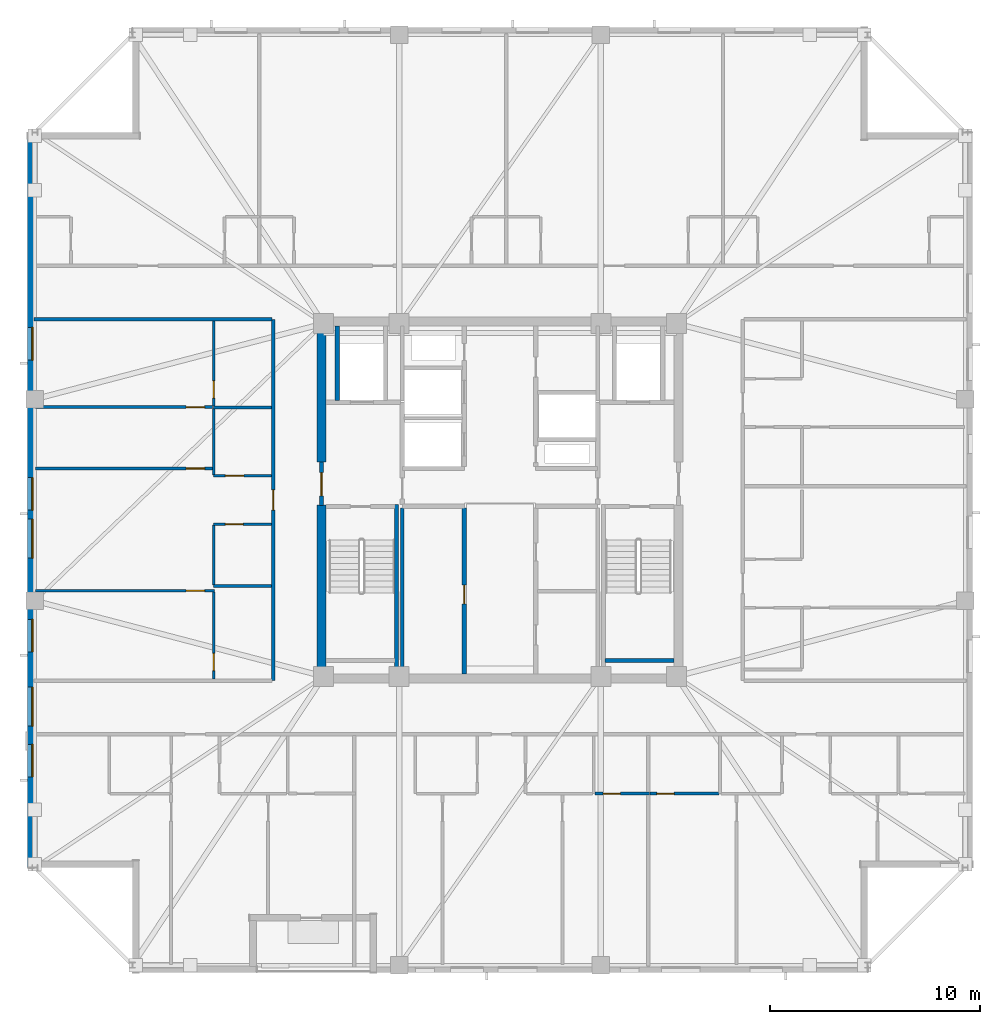
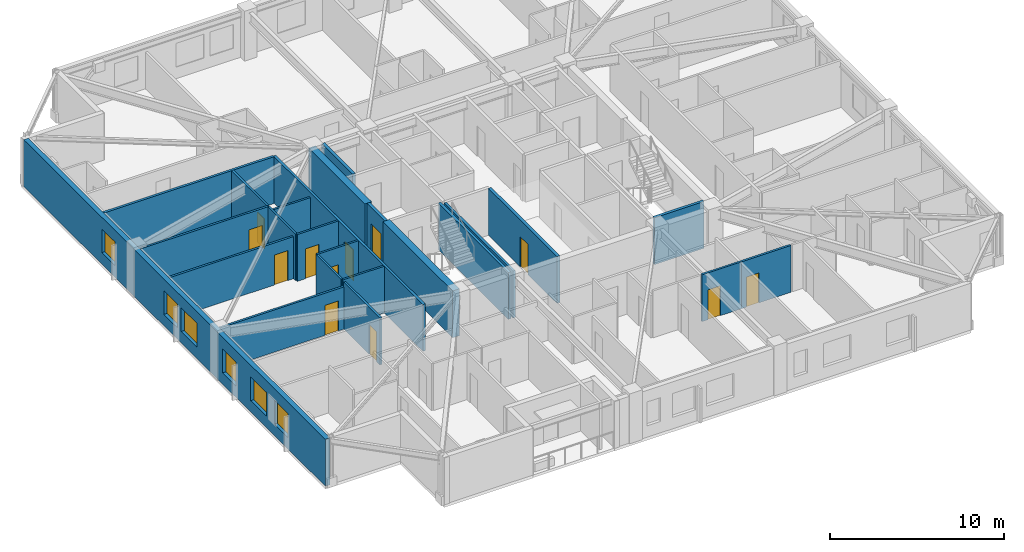
# One storey, part 8 of 17: 24 walls, 12 doors, 6 windows, 18 openings.
"""IFC4 building model written with IfcOpenShell, lengths in metres."""

from ifc_helpers import new_model, si_unit, direction, frame, frame_2d, origin, place, context, subcontext, project, spatial, rectangle, extrude, material, layer, layer_set, type_object, element, fill, save


model = new_model("IFC4")

# Units and contexts
model_context = context("Model", 3, precision=1e-05, world=origin(), true_north=direction((0.0, 1.0)))
body_context = subcontext(model_context, "Body", "Model", "MODEL_VIEW")
ifc_project = project(units=[si_unit("LENGTHUNIT", "METRE"), si_unit("AREAUNIT", "SQUARE_METRE"), si_unit("VOLUMEUNIT", "CUBIC_METRE"), si_unit("PLANEANGLEUNIT", "RADIAN"), si_unit("MASSUNIT", "GRAM", prefix="KILO")], contexts=[model_context])

# Site, building, storey
site_placement = place(None, origin())
site = spatial("IfcSite", under=ifc_project, at=site_placement, CompositionType="ELEMENT")
building_placement = place(site_placement, origin())
building = spatial("IfcBuilding", under=site, at=building_placement, Name="Cairnveth Concourse Tower", CompositionType="ELEMENT")
storey_placement = place(building_placement, frame((0.0, 0.0, 262.0)))
storey = spatial("IfcBuildingStorey", under=building, at=storey_placement, Name="L72", CompositionType="ELEMENT", Elevation=262.0)

# Wall
ifc_material_1 = material(Name="Gypsum Plasterboard Partition", Category="gypsum")
ifc_layer_1 = layer(ifc_material_1, 0.159912109375)
ifc_layer_set_1 = layer_set([ifc_layer_1], Name="Gypsum Plasterboard Partition")
wall_type_1 = type_object("IfcWallType", Name="ACOUSTIC PARTY WALL 180", PredefinedType="PARTITIONING", material=ifc_layer_set_1)
wall_1_placement = place(storey_placement, frame((47.35009765625, 30.7099609375, 0.0), z_axis=(0.0, 0.0, 1.0), x_axis=(0.0, 1.0, 0.0)))
element("IfcWall", 1, at=wall_1_placement, inside=storey, type_object=wall_type_1, Name="Interior Wall IW-L72-025", PredefinedType="PARTITIONING", context=body_context, shape_type="SweptSolid", body=[
    extrude(rectangle(XDim=7.905029296875, YDim=0.159912109375, at=frame_2d((3.95263671875, 0.0))), origin(), (0.0, 0.0, 1.0), 3.2900390625),
])

# Wall, opening, door
wall_2_placement = place(storey_placement, frame((41.199951171875, 30.39990234375, 0.0), z_axis=(0.0, 0.0, 1.0), x_axis=(0.0, 1.0, 0.0)))
wall_2 = element("IfcWall", 2, at=wall_2_placement, inside=storey, type_object=wall_type_1, Name="Interior Wall IW-L72-036", PredefinedType="PARTITIONING", context=body_context, shape_type="SweptSolid", body=[
    extrude(rectangle(XDim=17.2001953125, YDim=0.159912109375, at=frame_2d((8.60009765625, 0.0))), origin(), (0.0, 0.0, 1.0), 3.2900390625),
])
opening_1_placement = place(wall_2_placement, frame((8.1201171875, 0.0, 0.0)))
opening_1 = element("IfcOpeningElement", 3, at=opening_1_placement, cuts=wall_2, Name="Opening ID10", PredefinedType="OPENING", context=body_context, shape_type="SweptSolid", body=[
    extrude(rectangle(XDim=0.9599609375, YDim=2.179931640625, at=frame_2d((0.47998046875, 1.08984375))), frame((0.0, 0.08984375, 0.0), z_axis=(0.0, -1.0, 0.0), x_axis=(1.0, 0.0, 0.0)), (0.0, 0.0, 1.0), 0.179931640625),
])
ifc_material_2 = material(Name="Solid Core Hardwood Timber Leaf", Category="wood")
door_type_1 = type_object("IfcDoorType", Name="FLAT ENTRANCE DOOR 960X2150", OperationType="NOTDEFINED", PredefinedType="DOOR", material=ifc_material_2)
door_1_placement = place(opening_1_placement, origin())
door_1 = element("IfcDoor", 4, at=door_1_placement, inside=storey, type_object=door_type_1, Name="Apartment L72W1 Entrance Door", OperationType="SINGLE_SWING_LEFT", OverallHeight=2.179931640625, OverallWidth=0.9599609375, PredefinedType="DOOR", context=body_context, shape_type="SweptSolid", body=[
    extrude(rectangle(XDim=0.9599609375, YDim=2.179931640625, at=frame_2d((0.47998046875, 1.08984375))), frame((0.0, 0.02490234375, 0.0), z_axis=(0.0, -1.0, 0.0), x_axis=(1.0, 0.0, 0.0)), (0.0, 0.0, 1.0), 0.050048828125),
])
fill(opening_1, door_1)

# Walls
wall_3_placement = place(storey_placement, frame((29.804931640625, 47.60009765625, 0.0), z_axis=(0.0, 0.0, 1.0), x_axis=(1.0, 0.0, 0.0)))
element("IfcWall", 5, at=wall_3_placement, inside=storey, type_object=wall_type_1, Name="Interior Wall IW-L72-039", PredefinedType="PARTITIONING", context=body_context, shape_type="SweptSolid", body=[
    extrude(rectangle(XDim=11.330078125, YDim=0.159912109375, at=frame_2d((5.6650390625, 0.0))), origin(), (0.0, 0.0, 1.0), 3.2900390625),
])
ifc_material_3 = material(Name="Concrete N65 (65 MPa)", Category="concrete")
ifc_layer_2 = layer(ifc_material_3, 0.449951171875)
ifc_layer_set_2 = layer_set([ifc_layer_2], Name="Concrete N65 (65 MPa)")
wall_type_2 = type_object("IfcWallType", Name="CORE SHEAR WALL 450", PredefinedType="SHEAR", material=ifc_layer_set_2)
wall_4_placement = place(storey_placement, frame((43.5, 30.715087890625, 0.0), z_axis=(0.0, 0.0, 1.0), x_axis=(0.0, 1.0, 0.0)))
element("IfcWall", 6, at=wall_4_placement, inside=storey, type_object=wall_type_2, Name="Core West Shear Wall S L72", PredefinedType="SHEAR", context=body_context, shape_type="SweptSolid", body=[
    extrude(rectangle(XDim=8.034912109375, YDim=0.449951171875, at=frame_2d((4.017578125, 0.0))), origin(), (0.0, 0.0, 1.0), 3.2900390625),
])
wall_5_placement = place(storey_placement, frame((43.5, 40.800048828125, 0.0), z_axis=(0.0, 0.0, 1.0), x_axis=(0.0, 1.0, 0.0)))
element("IfcWall", 7, at=wall_5_placement, inside=storey, type_object=wall_type_2, Name="Core West Shear Wall N L72", PredefinedType="SHEAR", context=body_context, shape_type="SweptSolid", body=[
    extrude(rectangle(XDim=6.48486328125, YDim=0.449951171875, at=frame_2d((3.242431640625, 0.0))), origin(), (0.0, 0.0, 1.0), 3.2900390625),
])
ifc_material_4 = material(Name="Concrete N50 (50 MPa)", Category="concrete")
ifc_layer_3 = layer(ifc_material_4, 0.179931640625)
ifc_layer_set_3 = layer_set([ifc_layer_3], Name="Concrete N50 (50 MPa)")
wall_type_3 = type_object("IfcWallType", Name="FIRE SHAFT WALL 180", PredefinedType="SOLIDWALL", material=ifc_layer_set_3)
wall_6_placement = place(storey_placement, frame((47.070068359375, 38.780029296875, 0.0), z_axis=(0.0, 0.0, 1.0), x_axis=(0.0, -1.0, 0.0)))
element("IfcWall", 8, at=wall_6_placement, inside=storey, type_object=wall_type_3, Name="Stair ST-1 Shaft Wall RGHT L72", PredefinedType="SOLIDWALL", context=body_context, shape_type="SweptSolid", body=[
    extrude(rectangle(XDim=8.067138671875, YDim=0.179931640625, at=frame_2d((4.03369140625, 0.0))), origin(), (0.0, 0.0, 1.0), 3.2900390625),
])
wall_7_placement = place(storey_placement, frame((57.0048828125, 31.360107421875, 0.0), z_axis=(0.0, 0.0, 1.0), x_axis=(1.0, 0.0, 0.0)))
element("IfcWall", 9, at=wall_7_placement, inside=storey, type_object=wall_type_3, Name="Stair ST-2 Shaft Wall FAR L72", PredefinedType="SOLIDWALL", context=body_context, shape_type="SweptSolid", body=[
    extrude(rectangle(XDim=3.280029296875, YDim=0.179931640625, at=frame_2d((1.64013671875, 0.0))), origin(), (0.0, 0.0, 1.0), 3.2900390625),
])

# Wall, opening, door
ifc_layer_4 = layer(ifc_material_4, 0.199951171875)
ifc_layer_set_4 = layer_set([ifc_layer_4], Name="Concrete N50 (50 MPa)")
wall_type_4 = type_object("IfcWallType", Name="FIRE SHAFT WALL 200", PredefinedType="SOLIDWALL", material=ifc_layer_set_4)
wall_8_placement = place(storey_placement, frame((50.300048828125, 30.7099609375, 0.0), z_axis=(0.0, 0.0, 1.0), x_axis=(0.0, 1.0, 0.0)))
wall_8 = element("IfcWall", 10, at=wall_8_placement, inside=storey, type_object=wall_type_4, Name="Interior Wall IW-L72-011", PredefinedType="SOLIDWALL", context=body_context, shape_type="SweptSolid", body=[
    extrude(rectangle(XDim=7.905029296875, YDim=0.199951171875, at=frame_2d((3.95263671875, 0.0))), origin(), (0.0, 0.0, 1.0), 3.2900390625),
])
opening_2_placement = place(wall_8_placement, frame((3.340087890625, 0.0, 0.0)))
opening_2 = element("IfcOpeningElement", 11, at=opening_2_placement, cuts=wall_8, Name="Opening ID16", PredefinedType="OPENING", context=body_context, shape_type="SweptSolid", body=[
    extrude(rectangle(XDim=0.89990234375, YDim=2.1201171875, at=frame_2d((0.449951171875, 1.06005859375))), frame((0.0, 0.10986328125, 0.0), z_axis=(0.0, -1.0, 0.0), x_axis=(1.0, 0.0, 0.0)), (0.0, 0.0, 1.0), 0.219970703125),
])
ifc_material_5 = material(Name="Steel Grade 350", Category="steel")
door_type_2 = type_object("IfcDoorType", Name="CORE SERVICE DOOR 900X2100", OperationType="NOTDEFINED", PredefinedType="DOOR", material=ifc_material_5)
door_2_placement = place(opening_2_placement, origin())
door_2 = element("IfcDoor", 12, at=door_2_placement, inside=storey, type_object=door_type_2, Name="Linen Pantry Suite Door L72", OperationType="SINGLE_SWING_LEFT", OverallHeight=2.1201171875, OverallWidth=0.89990234375, PredefinedType="DOOR", context=body_context, shape_type="SweptSolid", body=[
    extrude(rectangle(XDim=0.89990234375, YDim=2.1201171875, at=frame_2d((0.449951171875, 1.06005859375))), frame((0.0, 0.02490234375, 0.0), z_axis=(0.0, -1.0, 0.0), x_axis=(1.0, 0.0, 0.0)), (0.0, 0.0, 1.0), 0.050048828125),
])
fill(opening_2, door_2)

wall_9_placement = place(storey_placement, frame((43.5, 38.75, 0.0), z_axis=(0.0, 0.0, 1.0), x_axis=(0.0, 1.0, 0.0)))
wall_9 = element("IfcWall", 13, at=wall_9_placement, inside=storey, type_object=wall_type_4, Name="Interior Wall IW-L72-015", PredefinedType="SOLIDWALL", context=body_context, shape_type="SweptSolid", body=[
    extrude(rectangle(XDim=2.050048828125, YDim=0.199951171875, at=frame_2d((1.02490234375, 0.0))), origin(), (0.0, 0.0, 1.0), 3.2900390625),
])
opening_3_placement = place(wall_9_placement, frame((0.449951171875, 0.0, 0.0)))
opening_3 = element("IfcOpeningElement", 14, at=opening_3_placement, cuts=wall_9, Name="Opening ID06", PredefinedType="OPENING", context=body_context, shape_type="SweptSolid", body=[
    extrude(rectangle(XDim=1.10009765625, YDim=2.14990234375, at=frame_2d((0.550048828125, 1.074951171875))), frame((0.0, 0.10986328125, 0.0), z_axis=(0.0, -1.0, 0.0), x_axis=(1.0, 0.0, 0.0)), (0.0, 0.0, 1.0), 0.219970703125),
])
door_type_3 = type_object("IfcDoorType", Name="FIRE CORRIDOR DOOR 1100X2150", OperationType="NOTDEFINED", PredefinedType="DOOR", material=ifc_material_5)
door_3_placement = place(opening_3_placement, origin())
door_3 = element("IfcDoor", 15, at=door_3_placement, inside=storey, type_object=door_type_3, Name="West Wing to FF Lobby Door L72", OperationType="SINGLE_SWING_LEFT", OverallHeight=2.14990234375, OverallWidth=1.10009765625, PredefinedType="DOOR", context=body_context, shape_type="SweptSolid", body=[
    extrude(rectangle(XDim=1.10009765625, YDim=2.14990234375, at=frame_2d((0.550048828125, 1.074951171875))), frame((0.0, 0.02490234375, 0.0), z_axis=(0.0, -1.0, 0.0), x_axis=(1.0, 0.0, 0.0)), (0.0, 0.0, 1.0), 0.050048828125),
])
fill(opening_3, door_3)

# Wall
wall_10_placement = place(storey_placement, frame((44.25, 43.735107421875, 0.0), z_axis=(0.0, 0.0, 1.0), x_axis=(0.0, 1.0, 0.0)))
element("IfcWall", 16, at=wall_10_placement, inside=storey, type_object=wall_type_4, Name="Interior Wall IW-L72-019", PredefinedType="SOLIDWALL", context=body_context, shape_type="SweptSolid", body=[
    extrude(rectangle(XDim=3.554931640625, YDim=0.199951171875, at=frame_2d((1.77734375, 0.0))), origin(), (0.0, 0.0, 1.0), 3.2900390625),
])

# Wall, opening, door
ifc_layer_5 = layer(ifc_material_1, 0.139892578125)
ifc_layer_set_5 = layer_set([ifc_layer_5], Name="Gypsum Plasterboard Partition")
wall_type_5 = type_object("IfcWallType", Name="GYPSUM STUD PARTITION 140", PredefinedType="PARTITIONING", material=ifc_layer_set_5)
wall_11_placement = place(storey_placement, frame((56.514892578125, 25.017578125, 0.0), z_axis=(0.0, 0.0, 1.0), x_axis=(1.0, 0.0, 0.0)))
wall_11 = element("IfcWall", 17, at=wall_11_placement, inside=storey, type_object=wall_type_5, Name="Interior Wall IW-L72-060", PredefinedType="PARTITIONING", context=body_context, shape_type="SweptSolid", body=[
    extrude(rectangle(XDim=2.6025390625, YDim=0.139892578125, at=frame_2d((1.30126953125, 0.0))), origin(), (0.0, 0.0, 1.0), 3.2900390625),
])
opening_4_placement = place(wall_11_placement, frame((0.39990234375, 0.0, 0.0)))
opening_4 = element("IfcOpeningElement", 18, at=opening_4_placement, cuts=wall_11, Name="Opening ID22", PredefinedType="OPENING", context=body_context, shape_type="SweptSolid", body=[
    extrude(rectangle(XDim=0.820068359375, YDim=2.10009765625, at=frame_2d((0.41015625, 1.050048828125))), frame((0.0, 0.079833984375, 0.0), z_axis=(0.0, -1.0, 0.0), x_axis=(1.0, 0.0, 0.0)), (0.0, 0.0, 1.0), 0.159912109375),
])
door_type_4 = type_object("IfcDoorType", Name="INTERIOR WC DOOR 820X2100", OperationType="NOTDEFINED", PredefinedType="DOOR", material=ifc_material_2)
door_4_placement = place(opening_4_placement, origin())
door_4 = element("IfcDoor", 19, at=door_4_placement, inside=storey, type_object=door_type_4, Name="L72S2 Utility Door", OperationType="SINGLE_SWING_RIGHT", OverallHeight=2.10009765625, OverallWidth=0.820068359375, PredefinedType="DOOR", context=body_context, shape_type="SweptSolid", body=[
    extrude(rectangle(XDim=0.820068359375, YDim=2.10009765625, at=frame_2d((0.41015625, 1.050048828125))), frame((0.0, 0.02490234375, 0.0), z_axis=(0.0, -1.0, 0.0), x_axis=(1.0, 0.0, 0.0)), (0.0, 0.0, 1.0), 0.050048828125),
])
fill(opening_4, door_4)

wall_12_placement = place(storey_placement, frame((59.132568359375, 25.017578125, 0.0), z_axis=(0.0, 0.0, 1.0), x_axis=(1.0, 0.0, 0.0)))
wall_12 = element("IfcWall", 20, at=wall_12_placement, inside=storey, type_object=wall_type_5, Name="Interior Wall IW-L72-069", PredefinedType="PARTITIONING", context=body_context, shape_type="SweptSolid", body=[
    extrude(rectangle(XDim=3.291015625, YDim=0.139892578125, at=frame_2d((1.6455078125, 0.0))), origin(), (0.0, 0.0, 1.0), 3.2900390625),
])
opening_5_placement = place(wall_12_placement, frame((0.3349609375, 0.0, 0.0)))
opening_5 = element("IfcOpeningElement", 21, at=opening_5_placement, cuts=wall_12, Name="Opening ID22", PredefinedType="OPENING", context=body_context, shape_type="SweptSolid", body=[
    extrude(rectangle(XDim=0.820068359375, YDim=2.10009765625, at=frame_2d((0.41015625, 1.050048828125))), frame((0.0, 0.079833984375, 0.0), z_axis=(0.0, -1.0, 0.0), x_axis=(1.0, 0.0, 0.0)), (0.0, 0.0, 1.0), 0.159912109375),
])
door_5_placement = place(opening_5_placement, origin())
door_5 = element("IfcDoor", 22, at=door_5_placement, inside=storey, type_object=door_type_4, Name="L72S3 Dressing Door", OperationType="SINGLE_SWING_LEFT", OverallHeight=2.10009765625, OverallWidth=0.820068359375, PredefinedType="DOOR", context=body_context, shape_type="SweptSolid", body=[
    extrude(rectangle(XDim=0.820068359375, YDim=2.10009765625, at=frame_2d((0.41015625, 1.050048828125))), frame((0.0, 0.02490234375, 0.0), z_axis=(0.0, -1.0, 0.0), x_axis=(1.0, 0.0, 0.0)), (0.0, 0.0, 1.0), 0.050048828125),
])
fill(opening_5, door_5)

wall_13_placement = place(storey_placement, frame((29.8798828125, 34.679931640625, 0.0), z_axis=(0.0, 0.0, 1.0), x_axis=(1.0, 0.0, 0.0)))
wall_13 = element("IfcWall", 23, at=wall_13_placement, inside=storey, type_object=wall_type_5, Name="Interior Wall IW-L72-097", PredefinedType="PARTITIONING", context=body_context, shape_type="SweptSolid", body=[
    extrude(rectangle(XDim=8.530029296875, YDim=0.139892578125, at=frame_2d((4.26513671875, 0.0))), origin(), (0.0, 0.0, 1.0), 2.9580078125),
])
opening_6_placement = place(wall_13_placement, frame((7.179931640625, 0.0, 0.0)))
opening_6 = element("IfcOpeningElement", 24, at=opening_6_placement, cuts=wall_13, Name="Opening ID18", PredefinedType="OPENING", context=body_context, shape_type="SweptSolid", body=[
    extrude(rectangle(XDim=0.8798828125, YDim=2.10009765625, at=frame_2d((0.43994140625, 1.050048828125))), frame((0.0, 0.079833984375, 0.0), z_axis=(0.0, -1.0, 0.0), x_axis=(1.0, 0.0, 0.0)), (0.0, 0.0, 1.0), 0.159912109375),
])
door_type_5 = type_object("IfcDoorType", Name="INTERIOR SINGLE DOOR 880X2100", OperationType="NOTDEFINED", PredefinedType="DOOR", material=ifc_material_2)
door_6_placement = place(opening_6_placement, origin())
door_6 = element("IfcDoor", 25, at=door_6_placement, inside=storey, type_object=door_type_5, Name="L72W1 Master Bedroom Door", OperationType="SINGLE_SWING_LEFT", OverallHeight=2.10009765625, OverallWidth=0.8798828125, PredefinedType="DOOR", context=body_context, shape_type="SweptSolid", body=[
    extrude(rectangle(XDim=0.8798828125, YDim=2.10009765625, at=frame_2d((0.43994140625, 1.050048828125))), frame((0.0, 0.02490234375, 0.0), z_axis=(0.0, -1.0, 0.0), x_axis=(1.0, 0.0, 0.0)), (0.0, 0.0, 1.0), 0.050048828125),
])
fill(opening_6, door_6)

wall_14_placement = place(storey_placement, frame((38.3701171875, 30.465087890625, 0.0), z_axis=(0.0, 0.0, 1.0), x_axis=(0.0, 1.0, 0.0)))
wall_14 = element("IfcWall", 26, at=wall_14_placement, inside=storey, type_object=wall_type_5, Name="Interior Wall IW-L72-098", PredefinedType="PARTITIONING", context=body_context, shape_type="SweptSolid", body=[
    extrude(rectangle(XDim=4.159912109375, YDim=0.139892578125, at=frame_2d((2.080078125, 0.0))), origin(), (0.0, 0.0, 1.0), 3.2900390625),
])
opening_7_placement = place(wall_14_placement, frame((0.4150390625, 0.0, 0.0)))
opening_7 = element("IfcOpeningElement", 27, at=opening_7_placement, cuts=wall_14, Name="Opening ID22", PredefinedType="OPENING", context=body_context, shape_type="SweptSolid", body=[
    extrude(rectangle(XDim=0.820068359375, YDim=2.10009765625, at=frame_2d((0.41015625, 1.050048828125))), frame((0.0, 0.079833984375, 0.0), z_axis=(0.0, -1.0, 0.0), x_axis=(1.0, 0.0, 0.0)), (0.0, 0.0, 1.0), 0.159912109375),
])
door_7_placement = place(opening_7_placement, origin())
door_7 = element("IfcDoor", 28, at=door_7_placement, inside=storey, type_object=door_type_4, Name="L72W1 Dressing Door", OperationType="SINGLE_SWING_RIGHT", OverallHeight=2.10009765625, OverallWidth=0.820068359375, PredefinedType="DOOR", context=body_context, shape_type="SweptSolid", body=[
    extrude(rectangle(XDim=0.820068359375, YDim=2.10009765625, at=frame_2d((0.41015625, 1.050048828125))), frame((0.0, 0.02490234375, 0.0), z_axis=(0.0, -1.0, 0.0), x_axis=(1.0, 0.0, 0.0)), (0.0, 0.0, 1.0), 0.050048828125),
])
fill(opening_7, door_7)

wall_15_placement = place(storey_placement, frame((29.8798828125, 43.419921875, 0.0), z_axis=(0.0, 0.0, 1.0), x_axis=(1.0, 0.0, 0.0)))
wall_15 = element("IfcWall", 29, at=wall_15_placement, inside=storey, type_object=wall_type_5, Name="Interior Wall IW-L72-099", PredefinedType="PARTITIONING", context=body_context, shape_type="SweptSolid", body=[
    extrude(rectangle(XDim=8.440185546875, YDim=0.139892578125, at=frame_2d((4.22021484375, 0.0))), origin(), (0.0, 0.0, 1.0), 3.2900390625),
])
opening_8_placement = place(wall_15_placement, frame((7.179931640625, 0.0, 0.0)))
opening_8 = element("IfcOpeningElement", 30, at=opening_8_placement, cuts=wall_15, Name="Opening ID18", PredefinedType="OPENING", context=body_context, shape_type="SweptSolid", body=[
    extrude(rectangle(XDim=0.8798828125, YDim=2.10009765625, at=frame_2d((0.43994140625, 1.050048828125))), frame((0.0, 0.079833984375, 0.0), z_axis=(0.0, -1.0, 0.0), x_axis=(1.0, 0.0, 0.0)), (0.0, 0.0, 1.0), 0.159912109375),
])
door_8_placement = place(opening_8_placement, origin())
door_8 = element("IfcDoor", 31, at=door_8_placement, inside=storey, type_object=door_type_5, Name="L72W1 Bedroom 2 Door", OperationType="SINGLE_SWING_LEFT", OverallHeight=2.10009765625, OverallWidth=0.8798828125, PredefinedType="DOOR", context=body_context, shape_type="SweptSolid", body=[
    extrude(rectangle(XDim=0.8798828125, YDim=2.10009765625, at=frame_2d((0.43994140625, 1.050048828125))), frame((0.0, 0.02490234375, 0.0), z_axis=(0.0, -1.0, 0.0), x_axis=(1.0, 0.0, 0.0)), (0.0, 0.0, 1.0), 0.050048828125),
])
fill(opening_8, door_8)

wall_16_placement = place(storey_placement, frame((38.3701171875, 43.47509765625, 0.0), z_axis=(0.0, 0.0, 1.0), x_axis=(0.0, 1.0, 0.0)))
wall_16 = element("IfcWall", 32, at=wall_16_placement, inside=storey, type_object=wall_type_5, Name="Interior Wall IW-L72-100", PredefinedType="PARTITIONING", context=body_context, shape_type="SweptSolid", body=[
    extrude(rectangle(XDim=4.059814453125, YDim=0.139892578125, at=frame_2d((2.02978515625, 0.0))), origin(), (0.0, 0.0, 1.0), 3.2900390625),
])
opening_9_placement = place(wall_16_placement, frame((0.375, 0.0, 0.0)))
opening_9 = element("IfcOpeningElement", 33, at=opening_9_placement, cuts=wall_16, Name="Opening ID22", PredefinedType="OPENING", context=body_context, shape_type="SweptSolid", body=[
    extrude(rectangle(XDim=0.820068359375, YDim=2.10009765625, at=frame_2d((0.41015625, 1.050048828125))), frame((0.0, 0.079833984375, 0.0), z_axis=(0.0, -1.0, 0.0), x_axis=(1.0, 0.0, 0.0)), (0.0, 0.0, 1.0), 0.159912109375),
])
door_9_placement = place(opening_9_placement, origin())
door_9 = element("IfcDoor", 34, at=door_9_placement, inside=storey, type_object=door_type_4, Name="L72W1 Utility Door", OperationType="SINGLE_SWING_RIGHT", OverallHeight=2.10009765625, OverallWidth=0.820068359375, PredefinedType="DOOR", context=body_context, shape_type="SweptSolid", body=[
    extrude(rectangle(XDim=0.820068359375, YDim=2.10009765625, at=frame_2d((0.41015625, 1.050048828125))), frame((0.0, 0.02490234375, 0.0), z_axis=(0.0, -1.0, 0.0), x_axis=(1.0, 0.0, 0.0)), (0.0, 0.0, 1.0), 0.050048828125),
])
fill(opening_9, door_9)

wall_17_placement = place(storey_placement, frame((29.8798828125, 40.5, 0.0), z_axis=(0.0, 0.0, 1.0), x_axis=(1.0, 0.0, 0.0)))
wall_17 = element("IfcWall", 35, at=wall_17_placement, inside=storey, type_object=wall_type_5, Name="Interior Wall IW-L72-101", PredefinedType="PARTITIONING", context=body_context, shape_type="SweptSolid", body=[
    extrude(rectangle(XDim=8.440185546875, YDim=0.139892578125, at=frame_2d((4.22021484375, 0.0))), origin(), (0.0, 0.0, 1.0), 2.9580078125),
])
opening_10_placement = place(wall_17_placement, frame((7.179931640625, 0.0, 0.0)))
opening_10 = element("IfcOpeningElement", 36, at=opening_10_placement, cuts=wall_17, Name="Opening ID18", PredefinedType="OPENING", context=body_context, shape_type="SweptSolid", body=[
    extrude(rectangle(XDim=0.8798828125, YDim=2.10009765625, at=frame_2d((0.43994140625, 1.050048828125))), frame((0.0, 0.079833984375, 0.0), z_axis=(0.0, -1.0, 0.0), x_axis=(1.0, 0.0, 0.0)), (0.0, 0.0, 1.0), 0.159912109375),
])
door_10_placement = place(opening_10_placement, origin())
door_10 = element("IfcDoor", 37, at=door_10_placement, inside=storey, type_object=door_type_5, Name="L72W1 Media Lounge Door", OperationType="SINGLE_SWING_RIGHT", OverallHeight=2.10009765625, OverallWidth=0.8798828125, PredefinedType="DOOR", context=body_context, shape_type="SweptSolid", body=[
    extrude(rectangle(XDim=0.8798828125, YDim=2.10009765625, at=frame_2d((0.43994140625, 1.050048828125))), frame((0.0, 0.02490234375, 0.0), z_axis=(0.0, -1.0, 0.0), x_axis=(1.0, 0.0, 0.0)), (0.0, 0.0, 1.0), 0.050048828125),
])
fill(opening_10, door_10)

# Wall
ifc_layer_6 = layer(ifc_material_1, 0.1298828125)
ifc_layer_set_6 = layer_set([ifc_layer_6], Name="Gypsum Plasterboard Partition")
wall_type_6 = type_object("IfcWallType", Name="WET AREA PARTITION 140", PredefinedType="PLUMBINGWALL", material=ifc_layer_set_6)
wall_18_placement = place(storey_placement, frame((38.3701171875, 34.89990234375, 0.0), z_axis=(0.0, 0.0, 1.0), x_axis=(1.0, 0.0, 0.0)))
element("IfcWall", 38, at=wall_18_placement, inside=storey, type_object=wall_type_6, Name="Interior Wall IW-L72-091", PredefinedType="PLUMBINGWALL", context=body_context, shape_type="SweptSolid", body=[
    extrude(rectangle(XDim=2.75, YDim=0.1298828125, at=frame_2d((1.375, 0.0))), origin(), (0.0, 0.0, 1.0), 3.2900390625),
])

# Wall, opening, door
wall_19_placement = place(storey_placement, frame((38.3701171875, 37.85009765625, 0.0), z_axis=(0.0, 0.0, 1.0), x_axis=(1.0, 0.0, 0.0)))
wall_19 = element("IfcWall", 39, at=wall_19_placement, inside=storey, type_object=wall_type_6, Name="Interior Wall IW-L72-092", PredefinedType="PLUMBINGWALL", context=body_context, shape_type="SweptSolid", body=[
    extrude(rectangle(XDim=2.75, YDim=0.1298828125, at=frame_2d((1.375, 0.0))), origin(), (0.0, 0.0, 1.0), 3.2900390625),
])
opening_11_placement = place(wall_19_placement, frame((0.550048828125, 0.0, 0.0)))
opening_11 = element("IfcOpeningElement", 40, at=opening_11_placement, cuts=wall_19, Name="Opening ID21", PredefinedType="OPENING", context=body_context, shape_type="SweptSolid", body=[
    extrude(rectangle(XDim=0.85009765625, YDim=2.080078125, at=frame_2d((0.425048828125, 1.0400390625))), frame((0.0, 0.074951171875, 0.0), z_axis=(0.0, -1.0, 0.0), x_axis=(1.0, 0.0, 0.0)), (0.0, 0.0, 1.0), 0.14990234375),
])
door_type_6 = type_object("IfcDoorType", Name="INTERIOR WC DOOR 850X2100", OperationType="NOTDEFINED", PredefinedType="DOOR", material=ifc_material_2)
door_11_placement = place(opening_11_placement, origin())
door_11 = element("IfcDoor", 41, at=door_11_placement, inside=storey, type_object=door_type_6, Name="L72W1 Bathroom Door", OperationType="SINGLE_SWING_RIGHT", OverallHeight=2.080078125, OverallWidth=0.85009765625, PredefinedType="DOOR", context=body_context, shape_type="SweptSolid", body=[
    extrude(rectangle(XDim=0.85009765625, YDim=2.080078125, at=frame_2d((0.425048828125, 1.0400390625))), frame((0.0, 0.02490234375, 0.0), z_axis=(0.0, -1.0, 0.0), x_axis=(1.0, 0.0, 0.0)), (0.0, 0.0, 1.0), 0.050048828125),
])
fill(opening_11, door_11)

# Walls
wall_20_placement = place(storey_placement, frame((38.3701171875, 34.949951171875, 0.0), z_axis=(0.0, 0.0, 1.0), x_axis=(0.0, 1.0, 0.0)))
element("IfcWall", 42, at=wall_20_placement, inside=storey, type_object=wall_type_6, Name="Interior Wall IW-L72-093", PredefinedType="PLUMBINGWALL", context=body_context, shape_type="SweptSolid", body=[
    extrude(rectangle(XDim=2.85009765625, YDim=0.1298828125, at=frame_2d((1.425048828125, 0.0))), origin(), (0.0, 0.0, 1.0), 3.2900390625),
])
wall_21_placement = place(storey_placement, frame((38.3701171875, 43.39990234375, 0.0), z_axis=(0.0, 0.0, 1.0), x_axis=(1.0, 0.0, 0.0)))
element("IfcWall", 43, at=wall_21_placement, inside=storey, type_object=wall_type_6, Name="Interior Wall IW-L72-094", PredefinedType="PLUMBINGWALL", context=body_context, shape_type="SweptSolid", body=[
    extrude(rectangle(XDim=2.75, YDim=0.1298828125, at=frame_2d((1.375, 0.0))), origin(), (0.0, 0.0, 1.0), 2.9580078125),
])

# Wall, opening, door
wall_22_placement = place(storey_placement, frame((38.3701171875, 40.14990234375, 0.0), z_axis=(0.0, 0.0, 1.0), x_axis=(1.0, 0.0, 0.0)))
wall_22 = element("IfcWall", 44, at=wall_22_placement, inside=storey, type_object=wall_type_6, Name="Interior Wall IW-L72-095", PredefinedType="PLUMBINGWALL", context=body_context, shape_type="SweptSolid", body=[
    extrude(rectangle(XDim=2.75, YDim=0.1298828125, at=frame_2d((1.375, 0.0))), origin(), (0.0, 0.0, 1.0), 3.2900390625),
])
opening_12_placement = place(wall_22_placement, frame((0.550048828125, 0.0, 0.0)))
opening_12 = element("IfcOpeningElement", 45, at=opening_12_placement, cuts=wall_22, Name="Opening ID18", PredefinedType="OPENING", context=body_context, shape_type="SweptSolid", body=[
    extrude(rectangle(XDim=0.8798828125, YDim=2.10009765625, at=frame_2d((0.43994140625, 1.050048828125))), frame((0.0, 0.074951171875, 0.0), z_axis=(0.0, -1.0, 0.0), x_axis=(1.0, 0.0, 0.0)), (0.0, 0.0, 1.0), 0.14990234375),
])
door_12_placement = place(opening_12_placement, origin())
door_12 = element("IfcDoor", 46, at=door_12_placement, inside=storey, type_object=door_type_5, Name="L72W1 Kitchen Door", OperationType="SINGLE_SWING_LEFT", OverallHeight=2.10009765625, OverallWidth=0.8798828125, PredefinedType="DOOR", context=body_context, shape_type="SweptSolid", body=[
    extrude(rectangle(XDim=0.8798828125, YDim=2.10009765625, at=frame_2d((0.43994140625, 1.050048828125))), frame((0.0, 0.02490234375, 0.0), z_axis=(0.0, -1.0, 0.0), x_axis=(1.0, 0.0, 0.0)), (0.0, 0.0, 1.0), 0.050048828125),
])
fill(opening_12, door_12)

# Wall
wall_23_placement = place(storey_placement, frame((38.3701171875, 40.199951171875, 0.0), z_axis=(0.0, 0.0, 1.0), x_axis=(0.0, 1.0, 0.0)))
element("IfcWall", 47, at=wall_23_placement, inside=storey, type_object=wall_type_6, Name="Interior Wall IW-L72-096", PredefinedType="PLUMBINGWALL", context=body_context, shape_type="SweptSolid", body=[
    extrude(rectangle(XDim=3.150146484375, YDim=0.1298828125, at=frame_2d((1.5751953125, 0.0))), origin(), (0.0, 0.0, 1.0), 3.2900390625),
])

# Wall, openings, windows
ifc_material_6 = material(Name="Melbourne Buff Fired Clay Brick Masonry", Category="masonry")
ifc_layer_7 = layer(ifc_material_6, 0.320068359375)
ifc_layer_set_7 = layer_set([ifc_layer_7], Name="Melbourne Buff Fired Clay Brick Masonry")
wall_type_7 = type_object("IfcWallType", Name="ZONE 3 BRICK PIER SPANDREL WALL 320", PredefinedType="SOLIDWALL", material=ifc_layer_set_7)
wall_24_placement = place(storey_placement, frame((29.659912109375, 21.5, 0.0), z_axis=(0.0, 0.0, 1.0), x_axis=(0.0, 1.0, 0.0)))
wall_24 = element("IfcWall", 48, at=wall_24_placement, inside=storey, type_object=wall_type_7, Name="Exterior Wall EW-L72-S03", PredefinedType="SOLIDWALL", context=body_context, shape_type="SweptSolid", body=[
    extrude(rectangle(XDim=34.701904296875, YDim=0.320068359375, at=frame_2d((17.35107421875, 0.0))), origin(), (0.0, 0.0, 1.0), 3.2900390625),
])
opening_13_placement = place(wall_24_placement, frame((4.3125, 0.0, 0.800048828125)))
opening_13 = element("IfcOpeningElement", 49, at=opening_13_placement, cuts=wall_24, Name="Opening W07", PredefinedType="OPENING", context=body_context, shape_type="SweptSolid", body=[
    extrude(rectangle(XDim=1.550048828125, YDim=1.677978515625, at=frame_2d((0.77490234375, 0.8388671875))), frame((0.0, 0.169921875, 0.0), z_axis=(0.0, -1.0, 0.0), x_axis=(1.0, 0.0, 0.0)), (0.0, 0.0, 1.0), 0.340087890625),
])
opening_14_placement = place(wall_24_placement, frame((6.73779296875, 0.0, 0.800048828125)))
opening_14 = element("IfcOpeningElement", 50, at=opening_14_placement, cuts=wall_24, Name="Opening W08", PredefinedType="OPENING", context=body_context, shape_type="SweptSolid", body=[
    extrude(rectangle(XDim=1.85009765625, YDim=1.677978515625, at=frame_2d((0.925048828125, 0.8388671875))), frame((0.0, 0.169921875, 0.0), z_axis=(0.0, -1.0, 0.0), x_axis=(1.0, 0.0, 0.0)), (0.0, 0.0, 1.0), 0.340087890625),
])
opening_15_placement = place(wall_24_placement, frame((10.26318359375, 0.0, 0.800048828125)))
opening_15 = element("IfcOpeningElement", 51, at=opening_15_placement, cuts=wall_24, Name="Opening W07", PredefinedType="OPENING", context=body_context, shape_type="SweptSolid", body=[
    extrude(rectangle(XDim=1.550048828125, YDim=1.677978515625, at=frame_2d((0.77490234375, 0.8388671875))), frame((0.0, 0.169921875, 0.0), z_axis=(0.0, -1.0, 0.0), x_axis=(1.0, 0.0, 0.0)), (0.0, 0.0, 1.0), 0.340087890625),
])
opening_16_placement = place(wall_24_placement, frame((14.73828125, 0.0, 0.800048828125)))
opening_16 = element("IfcOpeningElement", 52, at=opening_16_placement, cuts=wall_24, Name="Opening W08", PredefinedType="OPENING", context=body_context, shape_type="SweptSolid", body=[
    extrude(rectangle(XDim=1.85009765625, YDim=1.677978515625, at=frame_2d((0.925048828125, 0.8388671875))), frame((0.0, 0.169921875, 0.0), z_axis=(0.0, -1.0, 0.0), x_axis=(1.0, 0.0, 0.0)), (0.0, 0.0, 1.0), 0.340087890625),
])
opening_17_placement = place(wall_24_placement, frame((17.013671875, 0.0, 0.800048828125)))
opening_17 = element("IfcOpeningElement", 53, at=opening_17_placement, cuts=wall_24, Name="Opening W07", PredefinedType="OPENING", context=body_context, shape_type="SweptSolid", body=[
    extrude(rectangle(XDim=1.550048828125, YDim=1.677978515625, at=frame_2d((0.77490234375, 0.8388671875))), frame((0.0, 0.169921875, 0.0), z_axis=(0.0, -1.0, 0.0), x_axis=(1.0, 0.0, 0.0)), (0.0, 0.0, 1.0), 0.340087890625),
])
opening_18_placement = place(wall_24_placement, frame((24.1640625, 0.0, 0.800048828125)))
opening_18 = element("IfcOpeningElement", 54, at=opening_18_placement, cuts=wall_24, Name="Opening W07", PredefinedType="OPENING", context=body_context, shape_type="SweptSolid", body=[
    extrude(rectangle(XDim=1.550048828125, YDim=1.677978515625, at=frame_2d((0.77490234375, 0.8388671875))), frame((0.0, 0.169921875, 0.0), z_axis=(0.0, -1.0, 0.0), x_axis=(1.0, 0.0, 0.0)), (0.0, 0.0, 1.0), 0.340087890625),
])
ifc_material_7 = material(Name="Double Glazed Low-E Clear Glass", Category="glass")
window_type_1 = type_object("IfcWindowType", Name="DEEP-SET APARTMENT LIVING WINDOW 1850X1850", PartitioningType="DOUBLE_PANEL_VERTICAL", PredefinedType="WINDOW", material=ifc_material_7)
window_1_placement = place(opening_14_placement, origin())
window_1 = element("IfcWindow", 55, at=window_1_placement, inside=storey, type_object=window_type_1, Name="Gothic Lancet Window L72-3-2", OverallHeight=1.677978515625, OverallWidth=1.85009765625, PartitioningType="SINGLE_PANEL", PredefinedType="WINDOW", context=body_context, shape_type="SweptSolid", body=[
    extrude(rectangle(XDim=1.85009765625, YDim=1.677978515625, at=frame_2d((0.925048828125, 0.8388671875))), frame((0.0, -0.050048828125, 0.0), z_axis=(0.0, -1.0, 0.0), x_axis=(1.0, 0.0, 0.0)), (0.0, 0.0, 1.0), 0.06005859375),
])
fill(opening_14, window_1)
window_2_placement = place(opening_16_placement, origin())
window_2 = element("IfcWindow", 56, at=window_2_placement, inside=storey, type_object=window_type_1, Name="Gothic Lancet Window L72-3-4", OverallHeight=1.677978515625, OverallWidth=1.85009765625, PartitioningType="SINGLE_PANEL", PredefinedType="WINDOW", context=body_context, shape_type="SweptSolid", body=[
    extrude(rectangle(XDim=1.85009765625, YDim=1.677978515625, at=frame_2d((0.925048828125, 0.8388671875))), frame((0.0, -0.050048828125, 0.0), z_axis=(0.0, -1.0, 0.0), x_axis=(1.0, 0.0, 0.0)), (0.0, 0.0, 1.0), 0.06005859375),
])
fill(opening_16, window_2)
window_type_2 = type_object("IfcWindowType", Name="DEEP-SET APARTMENT WINDOW 1550X1800", PartitioningType="DOUBLE_PANEL_VERTICAL", PredefinedType="WINDOW", material=ifc_material_7)
window_3_placement = place(opening_13_placement, origin())
window_3 = element("IfcWindow", 57, at=window_3_placement, inside=storey, type_object=window_type_2, Name="Gothic Lancet Window L72-3-1", OverallHeight=1.677978515625, OverallWidth=1.550048828125, PartitioningType="SINGLE_PANEL", PredefinedType="WINDOW", context=body_context, shape_type="SweptSolid", body=[
    extrude(rectangle(XDim=1.550048828125, YDim=1.677978515625, at=frame_2d((0.77490234375, 0.8388671875))), frame((0.0, -0.050048828125, 0.0), z_axis=(0.0, -1.0, 0.0), x_axis=(1.0, 0.0, 0.0)), (0.0, 0.0, 1.0), 0.06005859375),
])
fill(opening_13, window_3)
window_4_placement = place(opening_15_placement, origin())
window_4 = element("IfcWindow", 58, at=window_4_placement, inside=storey, type_object=window_type_2, Name="Gothic Lancet Window L72-3-3", OverallHeight=1.677978515625, OverallWidth=1.550048828125, PartitioningType="SINGLE_PANEL", PredefinedType="WINDOW", context=body_context, shape_type="SweptSolid", body=[
    extrude(rectangle(XDim=1.550048828125, YDim=1.677978515625, at=frame_2d((0.77490234375, 0.8388671875))), frame((0.0, -0.050048828125, 0.0), z_axis=(0.0, -1.0, 0.0), x_axis=(1.0, 0.0, 0.0)), (0.0, 0.0, 1.0), 0.06005859375),
])
fill(opening_15, window_4)
window_5_placement = place(opening_17_placement, origin())
window_5 = element("IfcWindow", 59, at=window_5_placement, inside=storey, type_object=window_type_2, Name="Gothic Lancet Window L72-3-5", OverallHeight=1.677978515625, OverallWidth=1.550048828125, PartitioningType="SINGLE_PANEL", PredefinedType="WINDOW", context=body_context, shape_type="SweptSolid", body=[
    extrude(rectangle(XDim=1.550048828125, YDim=1.677978515625, at=frame_2d((0.77490234375, 0.8388671875))), frame((0.0, -0.050048828125, 0.0), z_axis=(0.0, -1.0, 0.0), x_axis=(1.0, 0.0, 0.0)), (0.0, 0.0, 1.0), 0.06005859375),
])
fill(opening_17, window_5)
window_6_placement = place(opening_18_placement, origin())
window_6 = element("IfcWindow", 60, at=window_6_placement, inside=storey, type_object=window_type_2, Name="Gothic Lancet Window L72-3-7", OverallHeight=1.677978515625, OverallWidth=1.550048828125, PartitioningType="SINGLE_PANEL", PredefinedType="WINDOW", context=body_context, shape_type="SweptSolid", body=[
    extrude(rectangle(XDim=1.550048828125, YDim=1.677978515625, at=frame_2d((0.77490234375, 0.8388671875))), frame((0.0, -0.050048828125, 0.0), z_axis=(0.0, -1.0, 0.0), x_axis=(1.0, 0.0, 0.0)), (0.0, 0.0, 1.0), 0.06005859375),
])
fill(opening_18, window_6)

save(model, "model.ifc")
